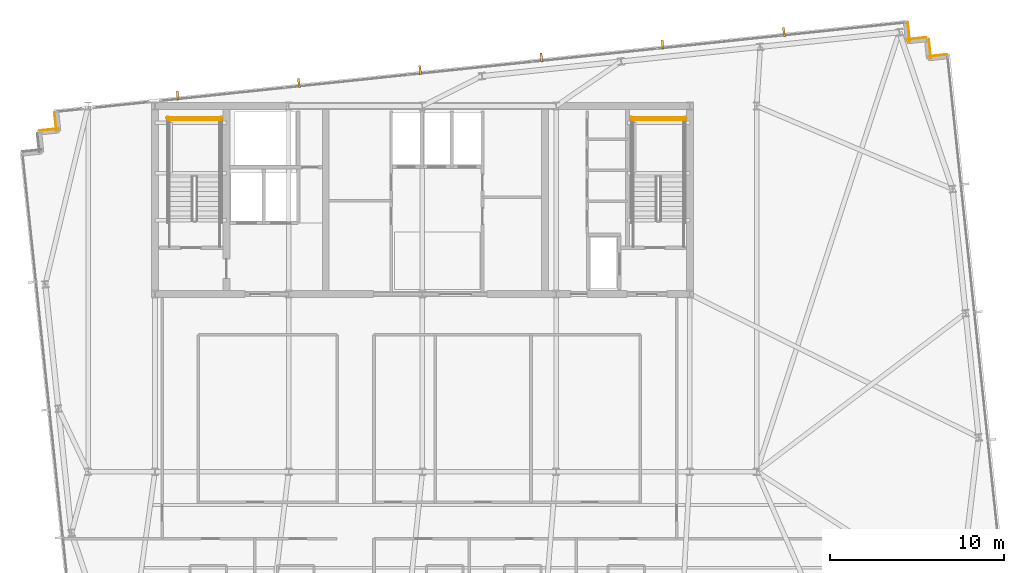
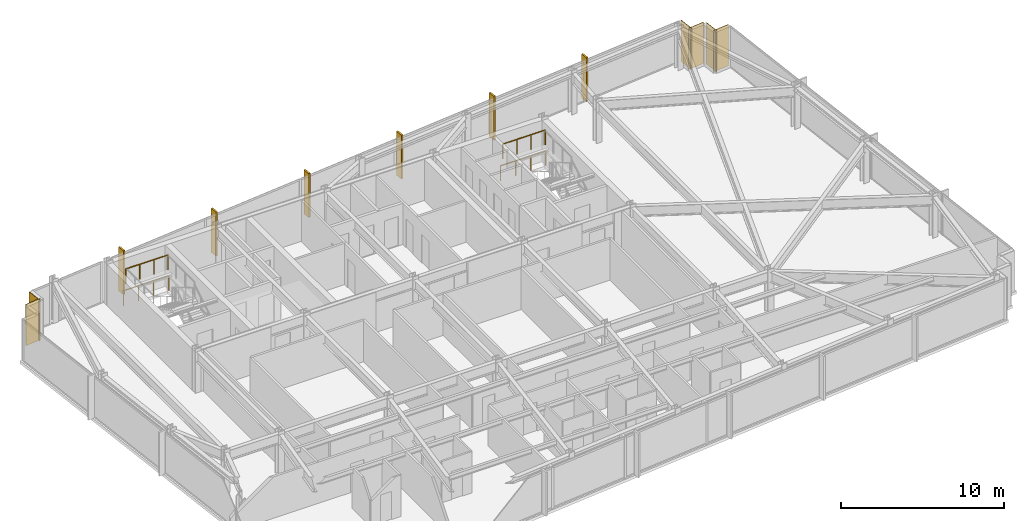
# One storey, part 33 of 33: 6 coverings, 6 shading devices, 4 railings.
"""IFC4 building model written with IfcOpenShell, lengths in metres."""

from ifc_helpers import new_model, si_unit, direction, frame, frame_2d, origin, origin_2d, place, context, subcontext, project, spatial, rectangle, circle, extrude, material, layer, layer_set, type_object, element, save


model = new_model("IFC4")

# Units and contexts
model_context = context("Model", 3, precision=1e-05, world=origin(), true_north=direction((0.0, 1.0)))
body_context = subcontext(model_context, "Body", "Model", "MODEL_VIEW")
ifc_project = project(units=[si_unit("LENGTHUNIT", "METRE"), si_unit("AREAUNIT", "SQUARE_METRE"), si_unit("VOLUMEUNIT", "CUBIC_METRE"), si_unit("PLANEANGLEUNIT", "RADIAN"), si_unit("MASSUNIT", "GRAM", prefix="KILO")], contexts=[model_context])

# Site, building, storey
site_placement = place(None, origin())
site = spatial("IfcSite", under=ifc_project, at=site_placement, CompositionType="ELEMENT")
building_placement = place(site_placement, origin())
building = spatial("IfcBuilding", under=site, at=building_placement, Name="Yelkora Congress Tower", CompositionType="ELEMENT")
storey_placement = place(building_placement, frame((0.0, 0.0, 227.60009765625)))
storey = spatial("IfcBuildingStorey", under=building, at=storey_placement, Name="L63", CompositionType="ELEMENT", Elevation=227.60009765625)

# Coverings
ifc_material_1 = material(Name="Anatolian bush-hammered limestone", Category="masonry")
ifc_layer_1 = layer(ifc_material_1, 0.0400390625)
ifc_layer_set_1 = layer_set([ifc_layer_1], Name="Anatolian bush-hammered limestone")
covering_type = type_object("IfcCoveringType", Name="COV-CLAD-SPANDREL-40", PredefinedType="CLADDING", material=ifc_layer_set_1)
for number, where, z_axis, x_axis, name in (
    (1, (16.406005859375, 44.7880859375, 0.0), (0.0, 0.0, 1.0), (0.994544300928, 0.104315068386, 0.0), "L63 Anatolian Limestone Cladding EW-L63-SR08"),
    (2, (17.379638671875, 44.75439453125, 0.0), (0.0, 0.0, 1.0), (-0.104534592565, 0.994521251134, 0.0), "L63 Anatolian Limestone Cladding EW-L63-SR09"),
    (3, (66.284912109375, 51.000732421875, 0.0), (0.0, 0.0, 1.0), (0.104534592565, -0.994521251134, 0.0), "L63 Anatolian Limestone Cladding EW-L63-SR11"),
):
    element("IfcCovering", number, at=place(storey_placement, frame(where, z_axis=z_axis, x_axis=x_axis)), inside=storey, type_object=covering_type, Name=name, PredefinedType="CLADDING", context=body_context, shape_type="SweptSolid", body=[
        extrude(rectangle(XDim=1.10009765625, YDim=0.0400390625, at=frame_2d((0.550048828125, 0.0))), origin(), (0.0, 0.0, 1.0), 3.079833984375),
    ])
covering_placement = place(storey_placement, frame((66.25146484375, 50.02685546875, 0.0), z_axis=(0.0, 0.0, 1.0), x_axis=(0.994518825066, 0.104557671117, 0.0)))
element("IfcCovering", 4, at=covering_placement, inside=storey, type_object=covering_type, Name="L63 Anatolian Limestone Cladding EW-L63-SR12", PredefinedType="CLADDING", context=body_context, shape_type="SweptSolid", body=[
    extrude(rectangle(XDim=1.099853515625, YDim=0.0400390625, at=frame_2d((0.5498046875, 0.0))), origin(), (0.0, 0.0, 1.0), 3.079833984375),
])
for number, where, z_axis, x_axis, name in (
    (5, (67.49365234375, 50.021728515625, 0.0), (0.0, 0.0, 1.0), (0.104534592565, -0.994521251134, 0.0), "L63 Anatolian Limestone Cladding EW-L63-SR13"),
    (6, (67.460205078125, 49.0478515625, 0.0), (0.0, 0.0, 1.0), (0.994521251134, 0.104534592565, 0.0), "L63 Anatolian Limestone Cladding EW-L63-SR14"),
):
    element("IfcCovering", number, at=place(storey_placement, frame(where, z_axis=z_axis, x_axis=x_axis)), inside=storey, type_object=covering_type, Name=name, PredefinedType="CLADDING", context=body_context, shape_type="SweptSolid", body=[
        extrude(rectangle(XDim=1.10009765625, YDim=0.0400390625, at=frame_2d((0.550048828125, 0.0))), origin(), (0.0, 0.0, 1.0), 3.079833984375),
    ])

# Railings
ifc_material_2 = material(Name="Painted galvanised steel stair well guard with vertical infill", Category="steel")
ifc_layer_2 = layer(ifc_material_2, 0.06005859375)
ifc_layer_set_2 = layer_set([ifc_layer_2], Name="Painted galvanised steel stair well guard with vertical infill")
railing_type = type_object("IfcRailingType", Name="RAIL-STAIR-GUARD-1120", PredefinedType="GUARDRAIL", material=ifc_layer_set_2)
railing_1_placement = place(storey_placement, frame((26.820068359375, 45.419921875, 1.64990234375)))
element("IfcRailing", 7, at=railing_1_placement, inside=storey, type_object=railing_type, Name="ST-01 L63 Stair Well Guardrail 5", PredefinedType="GUARDRAIL", context=body_context, shape_type="SweptSolid", body=[
    extrude(circle(Radius=0.02392578125, at=origin_2d()), frame((0.0, 0.0, 1.09619140625), z_axis=(-1.0, 0.0, 0.0), x_axis=(0.0, -1.0, 0.0)), (0.0, 0.0, 1.0), 3.0),
    extrude(circle(Radius=0.02099609375, at=origin_2d()), origin(), (0.0, 0.0, 1.0), 1.072021484375),
    extrude(circle(Radius=0.02099609375, at=origin_2d()), frame((-1.0, 0.0, 0.0)), (0.0, 0.0, 1.0), 1.072021484375),
    extrude(circle(Radius=0.02099609375, at=origin_2d()), frame((-2.0, 0.0, 0.0)), (0.0, 0.0, 1.0), 1.072021484375),
    extrude(circle(Radius=0.02099609375, at=origin_2d()), frame((-3.0, 0.0, 0.0)), (0.0, 0.0, 1.0), 1.072021484375),
])
railing_2_placement = place(storey_placement, frame((26.919921875, 45.52001953125, 0.0)))
element("IfcRailing", 8, at=railing_2_placement, inside=storey, type_object=railing_type, Name="ST-01 L63 Stair Well Guardrail 12", PredefinedType="GUARDRAIL", context=body_context, shape_type="SweptSolid", body=[
    extrude(circle(Radius=0.02392578125, at=origin_2d()), frame((0.0, 0.0, 1.09619140625), z_axis=(-1.0, 0.0, 0.0), x_axis=(0.0, -1.0, 0.0)), (0.0, 0.0, 1.0), 3.199951171875),
    extrude(circle(Radius=0.02099609375, at=origin_2d()), origin(), (0.0, 0.0, 1.0), 1.072021484375),
    extrude(circle(Radius=0.02099609375, at=origin_2d()), frame((-1.066650390625, 0.0, 0.0)), (0.0, 0.0, 1.0), 1.072021484375),
    extrude(circle(Radius=0.02099609375, at=origin_2d()), frame((-2.13330078125, 0.0, 0.0)), (0.0, 0.0, 1.0), 1.072021484375),
    extrude(circle(Radius=0.02099609375, at=origin_2d()), frame((-3.199951171875, 0.0, 0.0)), (0.0, 0.0, 1.0), 1.072021484375),
])
railing_3_placement = place(storey_placement, frame((53.4599609375, 45.419921875, 1.64990234375)))
element("IfcRailing", 9, at=railing_3_placement, inside=storey, type_object=railing_type, Name="ST-02 L63 Stair Well Guardrail 5", PredefinedType="GUARDRAIL", context=body_context, shape_type="SweptSolid", body=[
    extrude(circle(Radius=0.02392578125, at=origin_2d()), frame((0.0, 0.0, 1.09619140625), z_axis=(-1.0, 0.0, 0.0), x_axis=(0.0, -1.0, 0.0)), (0.0, 0.0, 1.0), 3.0),
    extrude(circle(Radius=0.02099609375, at=origin_2d()), origin(), (0.0, 0.0, 1.0), 1.072021484375),
    extrude(circle(Radius=0.02099609375, at=origin_2d()), frame((-1.0, 0.0, 0.0)), (0.0, 0.0, 1.0), 1.072021484375),
    extrude(circle(Radius=0.02099609375, at=origin_2d()), frame((-2.0, 0.0, 0.0)), (0.0, 0.0, 1.0), 1.072021484375),
    extrude(circle(Radius=0.02099609375, at=origin_2d()), frame((-3.0, 0.0, 0.0)), (0.0, 0.0, 1.0), 1.072021484375),
])
railing_4_placement = place(storey_placement, frame((53.56005859375, 45.52001953125, 0.0)))
element("IfcRailing", 10, at=railing_4_placement, inside=storey, type_object=railing_type, Name="ST-02 L63 Stair Well Guardrail 12", PredefinedType="GUARDRAIL", context=body_context, shape_type="SweptSolid", body=[
    extrude(circle(Radius=0.02392578125, at=origin_2d()), frame((0.0, 0.0, 1.09619140625), z_axis=(-1.0, 0.0, 0.0), x_axis=(0.0, -1.0, 0.0)), (0.0, 0.0, 1.0), 3.199951171875),
    extrude(circle(Radius=0.02099609375, at=origin_2d()), origin(), (0.0, 0.0, 1.0), 1.072021484375),
    extrude(circle(Radius=0.02099609375, at=origin_2d()), frame((-1.066650390625, 0.0, 0.0)), (0.0, 0.0, 1.0), 1.072021484375),
    extrude(circle(Radius=0.02099609375, at=origin_2d()), frame((-2.13330078125, 0.0, 0.0)), (0.0, 0.0, 1.0), 1.072021484375),
    extrude(circle(Radius=0.02099609375, at=origin_2d()), frame((-3.199951171875, 0.0, 0.0)), (0.0, 0.0, 1.0), 1.072021484375),
])

# Shading devices
ifc_material_3 = material(Name="Champagne anodised aluminium", Category="aluminium")
ifc_layer_3 = layer(ifc_material_3, 3.300048828125)
ifc_layer_set_3 = layer_set([ifc_layer_3], Name="Champagne anodised aluminium")
shading_device_type = type_object("IfcShadingDeviceType", Name="SHD-FIN-ALU-520", PredefinedType="USERDEFINED", material=ifc_layer_set_3)
for number, where, z_axis, x_axis, name in (
    (11, (24.342529296875, 46.79345703125, -0.0302734375), (0.0, 0.0, 1.0), (0.994521895368, 0.104528463268, 0.0), "L63 Vertical Anodised Solar Fin 10-1"),
    (12, (31.30712890625, 47.525390625, -0.0302734375), (0.0, 0.0, 1.0), (0.994521895368, 0.104528463268, 0.0), "L63 Vertical Anodised Solar Fin 10-2"),
    (13, (38.271484375, 48.257568359375, -0.0302734375), (0.0, 0.0, 1.0), (0.994521895368, 0.104528463268, 0.0), "L63 Vertical Anodised Solar Fin 10-3"),
    (14, (45.236083984375, 48.989501953125, -0.0302734375), (0.0, 0.0, 1.0), (0.994521895368, 0.104528463268, 0.0), "L63 Vertical Anodised Solar Fin 10-4"),
    (15, (52.20068359375, 49.721435546875, -0.0302734375), (0.0, 0.0, 1.0), (0.994521895368, 0.104528463268, 0.0), "L63 Vertical Anodised Solar Fin 10-5"),
    (16, (59.1650390625, 50.45361328125, -0.0302734375), (0.0, 0.0, 1.0), (0.994521895368, 0.104528463268, 0.0), "L63 Vertical Anodised Solar Fin 10-6"),
):
    element("IfcShadingDevice", number, at=place(storey_placement, frame(where, z_axis=z_axis, x_axis=x_axis)), inside=storey, type_object=shading_device_type, Name=name, ObjectType="FIN", PredefinedType="USERDEFINED", context=body_context, shape_type="SweptSolid", body=[
        extrude(rectangle(XDim=0.1201171875, YDim=0.52001953125, at=origin_2d()), origin(), (0.0, 0.0, 1.0), 3.280029296875),
    ])

save(model, "model.ifc")
